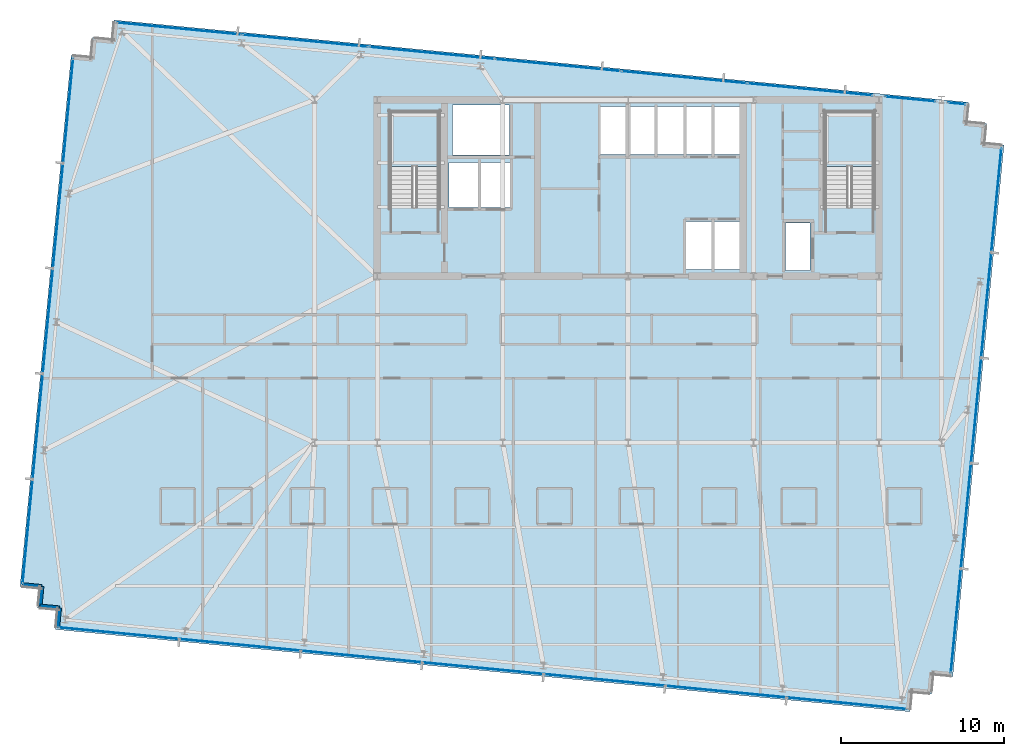
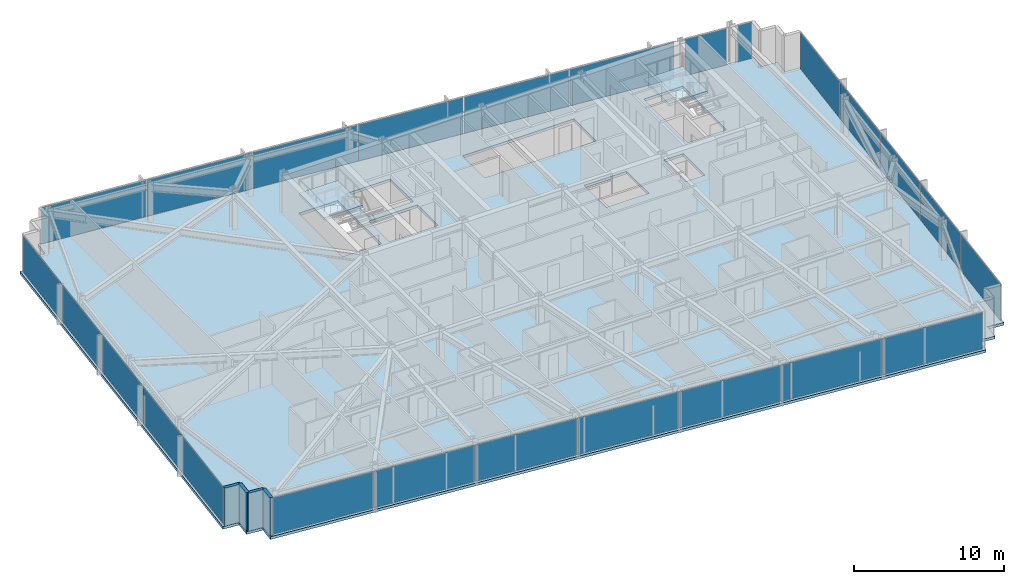
# One storey, part 28 of 37: 25 plates, 4 walls, 3 slabs, 8 elements without a shape of their own.
"""IFC4 building model written with IfcOpenShell, lengths in metres."""

from ifc_helpers import new_model, si_unit, direction, frame, frame_2d, origin, origin_2d, place, context, subcontext, project, spatial, polyline, rectangle, outline, extrude, material, layer, layer_set, type_object, element, aggregate, save


model = new_model("IFC4")

# Units and contexts
model_context = context("Model", 3, precision=1e-05, world=origin(), true_north=direction((0.0, 1.0)))
body_context = subcontext(model_context, "Body", "Model", "MODEL_VIEW")
ifc_project = project(units=[si_unit("LENGTHUNIT", "METRE"), si_unit("AREAUNIT", "SQUARE_METRE"), si_unit("VOLUMEUNIT", "CUBIC_METRE"), si_unit("PLANEANGLEUNIT", "RADIAN"), si_unit("MASSUNIT", "GRAM", prefix="KILO")], contexts=[model_context])

# Site, building, storey
site_placement = place(None, origin())
site = spatial("IfcSite", under=ifc_project, at=site_placement, CompositionType="ELEMENT")
building_placement = place(site_placement, origin())
building = spatial("IfcBuilding", under=site, at=building_placement, Name="Yelkora Congress Tower", CompositionType="ELEMENT")
storey_placement = place(building_placement, frame((0.0, 0.0, 182.0)))
storey = spatial("IfcBuildingStorey", under=building, at=storey_placement, Name="L50", CompositionType="ELEMENT", Elevation=182.0)

# Curtain wall, plates
ifc_material_1 = material(Name="Anodised aluminium and insulated glass", Category="aluminium")
curtain_wall_type = type_object("IfcCurtainWallType", Name="CW-SYS-B3", PredefinedType="NOTDEFINED", material=ifc_material_1)
curtain_wall_1_placement = place(storey_placement, origin())
curtain_wall_1 = element("IfcCurtainWall", 1, at=curtain_wall_1_placement, inside=storey, type_object=curtain_wall_type, Name="L50 Unitised Curtain Wall 5", PredefinedType="NOTDEFINED")
ifc_material_2 = material(Name="Acoustic laminated hotel glass unit B3", Category="glass")
ifc_layer_1 = layer(ifc_material_2, 0.0419921875)
ifc_layer_set_1 = layer_set([ifc_layer_1], Name="Acoustic laminated hotel glass unit B3")
plate_type = type_object("IfcPlateType", Name="PLT-PN-B3", PredefinedType="CURTAIN_PANEL", material=ifc_layer_set_1)
plate_1_placement = place(storey_placement, frame((1.61572265625, 19.75244140625, 0.06005859375), z_axis=(0.0, 0.0, 1.0), x_axis=(0.095845294465, 0.995396242473, 0.0)))
plate_1 = element("IfcPlate", 2, at=plate_1_placement, type_object=plate_type, Name="CW-B3 panel 1.1", PredefinedType="CURTAIN_PANEL", context=body_context, shape_type="SweptSolid", body=[
    extrude(rectangle(XDim=6.37890625, YDim=0.0419921875, at=origin_2d()), origin(), (0.0, 0.0, 1.0), 2.9599609375),
])
plate_2_placement = place(storey_placement, frame((2.235595703125, 26.189208984375, 0.06005859375), z_axis=(0.0, 0.0, 1.0), x_axis=(0.095845294465, 0.995396242473, 0.0)))
plate_2 = element("IfcPlate", 3, at=plate_2_placement, type_object=plate_type, Name="CW-B3 panel 2.1", PredefinedType="CURTAIN_PANEL", context=body_context, shape_type="SweptSolid", body=[
    extrude(rectangle(XDim=6.4140625, YDim=0.0419921875, at=origin_2d()), origin(), (0.0, 0.0, 1.0), 2.9599609375),
])
plate_3_placement = place(storey_placement, frame((2.85693359375, 32.643310546875, 0.06005859375), z_axis=(0.0, 0.0, 1.0), x_axis=(0.095845294465, 0.995396242473, 0.0)))
plate_3 = element("IfcPlate", 4, at=plate_3_placement, type_object=plate_type, Name="CW-B3 panel 3.1", PredefinedType="CURTAIN_PANEL", context=body_context, shape_type="SweptSolid", body=[
    extrude(rectangle(XDim=6.4140625, YDim=0.0419921875, at=origin_2d()), origin(), (0.0, 0.0, 1.0), 2.9599609375),
])
plate_4_placement = place(storey_placement, frame((3.478515625, 39.097412109375, 0.06005859375), z_axis=(0.0, 0.0, 1.0), x_axis=(0.095845294465, 0.995396242473, 0.0)))
plate_4 = element("IfcPlate", 5, at=plate_4_placement, type_object=plate_type, Name="CW-B3 panel 4.1", PredefinedType="CURTAIN_PANEL", context=body_context, shape_type="SweptSolid", body=[
    extrude(rectangle(XDim=6.4140625, YDim=0.0419921875, at=origin_2d()), origin(), (0.0, 0.0, 1.0), 2.9599609375),
])
plate_5_placement = place(storey_placement, frame((4.09814453125, 45.5341796875, 0.06005859375), z_axis=(0.0, 0.0, 1.0), x_axis=(0.095845294465, 0.995396242473, 0.0)))
plate_5 = element("IfcPlate", 6, at=plate_5_placement, type_object=plate_type, Name="CW-B3 panel 5.1", PredefinedType="CURTAIN_PANEL", context=body_context, shape_type="SweptSolid", body=[
    extrude(rectangle(XDim=6.37890625, YDim=0.0419921875, at=origin_2d()), origin(), (0.0, 0.0, 1.0), 2.9599609375),
])
aggregate(curtain_wall_1, [plate_1, plate_2, plate_3, plate_4, plate_5])

curtain_wall_2_placement = place(storey_placement, origin())
curtain_wall_2 = element("IfcCurtainWall", 7, at=curtain_wall_2_placement, inside=storey, type_object=curtain_wall_type, Name="L50 Unitised Curtain Wall 10 (1)", PredefinedType="NOTDEFINED")
plate_6_placement = place(storey_placement, frame((10.913818359375, 50.5634765625, 0.06005859375), z_axis=(0.0, 0.0, 1.0), x_axis=(0.995396293823, -0.095844761168, 0.0)))
plate_6 = element("IfcPlate", 8, at=plate_6_placement, type_object=plate_type, Name="CW-B3 panel 1.1", PredefinedType="CURTAIN_PANEL", context=body_context, shape_type="SweptSolid", body=[
    extrude(rectangle(XDim=7.664306640625, YDim=0.0419921875, at=origin_2d()), origin(), (0.0, 0.0, 1.0), 2.9599609375),
])
plate_7_placement = place(storey_placement, frame((18.6298828125, 49.820556640625, 0.06005859375), z_axis=(0.0, 0.0, 1.0), x_axis=(0.995396293823, -0.095844761168, 0.0)))
plate_7 = element("IfcPlate", 9, at=plate_7_placement, type_object=plate_type, Name="CW-B3 panel 2.1", PredefinedType="CURTAIN_PANEL", context=body_context, shape_type="SweptSolid", body=[
    extrude(rectangle(XDim=7.69921875, YDim=0.0419921875, at=origin_2d()), origin(), (0.0, 0.0, 1.0), 2.9599609375),
])
plate_8_placement = place(storey_placement, frame((26.363525390625, 49.075927734375, 0.06005859375), z_axis=(0.0, 0.0, 1.0), x_axis=(0.995396293823, -0.095844761168, 0.0)))
plate_8 = element("IfcPlate", 10, at=plate_8_placement, type_object=plate_type, Name="CW-B3 panel 3.1", PredefinedType="CURTAIN_PANEL", context=body_context, shape_type="SweptSolid", body=[
    extrude(rectangle(XDim=7.69921875, YDim=0.0419921875, at=origin_2d()), origin(), (0.0, 0.0, 1.0), 2.9599609375),
])
plate_9_placement = place(storey_placement, frame((34.09716796875, 48.331298828125, 0.06005859375), z_axis=(0.0, 0.0, 1.0), x_axis=(0.995396293823, -0.095844761168, 0.0)))
plate_9 = element("IfcPlate", 11, at=plate_9_placement, type_object=plate_type, Name="CW-B3 panel 4.1", PredefinedType="CURTAIN_PANEL", context=body_context, shape_type="SweptSolid", body=[
    extrude(rectangle(XDim=7.69921875, YDim=0.0419921875, at=origin_2d()), origin(), (0.0, 0.0, 1.0), 2.9599609375),
])
plate_10_placement = place(storey_placement, frame((41.83056640625, 47.586669921875, 0.06005859375), z_axis=(0.0, 0.0, 1.0), x_axis=(0.995396293823, -0.095844761168, 0.0)))
plate_10 = element("IfcPlate", 12, at=plate_10_placement, type_object=plate_type, Name="CW-B3 panel 5.1", PredefinedType="CURTAIN_PANEL", context=body_context, shape_type="SweptSolid", body=[
    extrude(rectangle(XDim=7.69921875, YDim=0.0419921875, at=origin_2d()), origin(), (0.0, 0.0, 1.0), 2.9599609375),
])
plate_11_placement = place(storey_placement, frame((49.546875, 46.84375, 0.06005859375), z_axis=(0.0, 0.0, 1.0), x_axis=(0.995396293823, -0.095844761168, 0.0)))
plate_11 = element("IfcPlate", 13, at=plate_11_placement, type_object=plate_type, Name="CW-B3 panel 6.1", PredefinedType="CURTAIN_PANEL", context=body_context, shape_type="SweptSolid", body=[
    extrude(rectangle(XDim=7.664306640625, YDim=0.0419921875, at=origin_2d()), origin(), (0.0, 0.0, 1.0), 2.9599609375),
])
aggregate(curtain_wall_2, [plate_6, plate_7, plate_8, plate_9, plate_10, plate_11])

# Curtain wall, plate
curtain_wall_3_placement = place(storey_placement, origin())
curtain_wall_3 = element("IfcCurtainWall", 14, at=curtain_wall_3_placement, inside=storey, type_object=curtain_wall_type, Name="L50 Unitised Curtain Wall 10 (2)", PredefinedType="NOTDEFINED")
plate_12_placement = place(storey_placement, frame((55.679931640625, 46.253173828125, 0.06005859375), z_axis=(0.0, 0.0, 1.0), x_axis=(0.995395952188, -0.095848309157, 0.0)))
plate_12 = element("IfcPlate", 15, at=plate_12_placement, type_object=plate_type, Name="CW-B3 panel 1.1", PredefinedType="CURTAIN_PANEL", context=body_context, shape_type="SweptSolid", body=[
    extrude(rectangle(XDim=3.056640625, YDim=0.0419921875, at=origin_2d()), origin(), (0.0, 0.0, 1.0), 2.9599609375),
])
aggregate(curtain_wall_3, [plate_12])

curtain_wall_4_placement = place(storey_placement, origin())
curtain_wall_4 = element("IfcCurtainWall", 16, at=curtain_wall_4_placement, inside=storey, type_object=curtain_wall_type, Name="L50 Unitised Curtain Wall 10 (3)", PredefinedType="NOTDEFINED")
plate_13_placement = place(storey_placement, frame((58.518798828125, 45.979736328125, 0.06005859375), z_axis=(0.0, 0.0, 1.0), x_axis=(0.995395569658, -0.095852281686, 0.0)))
plate_13 = element("IfcPlate", 17, at=plate_13_placement, type_object=plate_type, Name="CW-B3 panel 1.1", PredefinedType="CURTAIN_PANEL", context=body_context, shape_type="SweptSolid", body=[
    extrude(rectangle(XDim=1.045166015625, YDim=0.0419921875, at=origin_2d()), origin(), (0.0, 0.0, 1.0), 2.9599609375),
])
aggregate(curtain_wall_4, [plate_13])

# Curtain wall, plates
curtain_wall_5_placement = place(storey_placement, origin())
curtain_wall_5 = element("IfcCurtainWall", 18, at=curtain_wall_5_placement, inside=storey, type_object=curtain_wall_type, Name="L50 Unitised Curtain Wall 15", PredefinedType="NOTDEFINED")
plate_14_placement = place(storey_placement, frame((60.955322265625, 40.0595703125, 0.06005859375), z_axis=(0.0, 0.0, 1.0), x_axis=(-0.095841944023, -0.995396565076, 0.0)))
plate_14 = element("IfcPlate", 19, at=plate_14_placement, type_object=plate_type, Name="CW-B3 panel 1.1", PredefinedType="CURTAIN_PANEL", context=body_context, shape_type="SweptSolid", body=[
    extrude(rectangle(XDim=6.37890625, YDim=0.0419921875, at=origin_2d()), origin(), (0.0, 0.0, 1.0), 2.9599609375),
])
plate_15_placement = place(storey_placement, frame((60.33544921875, 33.622802734375, 0.06005859375), z_axis=(0.0, 0.0, 1.0), x_axis=(-0.095841944023, -0.995396565076, 0.0)))
plate_15 = element("IfcPlate", 20, at=plate_15_placement, type_object=plate_type, Name="CW-B3 panel 2.1", PredefinedType="CURTAIN_PANEL", context=body_context, shape_type="SweptSolid", body=[
    extrude(rectangle(XDim=6.4140625, YDim=0.0419921875, at=origin_2d()), origin(), (0.0, 0.0, 1.0), 2.9599609375),
])
plate_16_placement = place(storey_placement, frame((59.714111328125, 27.168701171875, 0.06005859375), z_axis=(0.0, 0.0, 1.0), x_axis=(-0.095841944023, -0.995396565076, 0.0)))
plate_16 = element("IfcPlate", 21, at=plate_16_placement, type_object=plate_type, Name="CW-B3 panel 3.1", PredefinedType="CURTAIN_PANEL", context=body_context, shape_type="SweptSolid", body=[
    extrude(rectangle(XDim=6.4140625, YDim=0.0419921875, at=origin_2d()), origin(), (0.0, 0.0, 1.0), 2.9599609375),
])
plate_17_placement = place(storey_placement, frame((59.092529296875, 20.71435546875, 0.06005859375), z_axis=(0.0, 0.0, 1.0), x_axis=(-0.095841944023, -0.995396565076, 0.0)))
plate_17 = element("IfcPlate", 22, at=plate_17_placement, type_object=plate_type, Name="CW-B3 panel 4.1", PredefinedType="CURTAIN_PANEL", context=body_context, shape_type="SweptSolid", body=[
    extrude(rectangle(XDim=6.4140625, YDim=0.0419921875, at=origin_2d()), origin(), (0.0, 0.0, 1.0), 2.9599609375),
])
plate_18_placement = place(storey_placement, frame((58.472900390625, 14.277587890625, 0.06005859375), z_axis=(0.0, 0.0, 1.0), x_axis=(-0.095841944023, -0.995396565076, 0.0)))
plate_18 = element("IfcPlate", 23, at=plate_18_placement, type_object=plate_type, Name="CW-B3 panel 5.1", PredefinedType="CURTAIN_PANEL", context=body_context, shape_type="SweptSolid", body=[
    extrude(rectangle(XDim=6.37890625, YDim=0.0419921875, at=origin_2d()), origin(), (0.0, 0.0, 1.0), 2.9599609375),
])
aggregate(curtain_wall_5, [plate_14, plate_15, plate_16, plate_17, plate_18])

curtain_wall_6_placement = place(storey_placement, origin())
curtain_wall_6 = element("IfcCurtainWall", 24, at=curtain_wall_6_placement, inside=storey, type_object=curtain_wall_type, Name="L50 Unitised Curtain Wall 20", PredefinedType="NOTDEFINED")
plate_19_placement = place(storey_placement, frame((51.803955078125, 9.234130859375, 0.06005859375), z_axis=(0.0, 0.0, 1.0), x_axis=(-0.995396301573, 0.095844680679, 0.0)))
plate_19 = element("IfcPlate", 25, at=plate_19_placement, type_object=plate_type, Name="CW-B3 panel 1.1", PredefinedType="CURTAIN_PANEL", context=body_context, shape_type="SweptSolid", body=[
    extrude(rectangle(XDim=7.369384765625, YDim=0.0419921875, at=origin_2d()), origin(), (0.0, 0.0, 1.0), 2.9599609375),
])
plate_20_placement = place(storey_placement, frame((44.381591796875, 9.948974609375, 0.06005859375), z_axis=(0.0, 0.0, 1.0), x_axis=(-0.995396301573, 0.095844680679, 0.0)))
plate_20 = element("IfcPlate", 26, at=plate_20_placement, type_object=plate_type, Name="CW-B3 panel 2.1", PredefinedType="CURTAIN_PANEL", context=body_context, shape_type="SweptSolid", body=[
    extrude(rectangle(XDim=7.404296875, YDim=0.0419921875, at=origin_2d()), origin(), (0.0, 0.0, 1.0), 2.9599609375),
])
plate_21_placement = place(storey_placement, frame((36.941650390625, 10.665283203125, 0.06005859375), z_axis=(0.0, 0.0, 1.0), x_axis=(-0.995396301573, 0.095844680679, 0.0)))
plate_21 = element("IfcPlate", 27, at=plate_21_placement, type_object=plate_type, Name="CW-B3 panel 3.1", PredefinedType="CURTAIN_PANEL", context=body_context, shape_type="SweptSolid", body=[
    extrude(rectangle(XDim=7.404296875, YDim=0.0419921875, at=origin_2d()), origin(), (0.0, 0.0, 1.0), 2.9599609375),
])
plate_22_placement = place(storey_placement, frame((29.501708984375, 11.381591796875, 0.06005859375), z_axis=(0.0, 0.0, 1.0), x_axis=(-0.995396301573, 0.095844680679, 0.0)))
plate_22 = element("IfcPlate", 28, at=plate_22_placement, type_object=plate_type, Name="CW-B3 panel 4.1", PredefinedType="CURTAIN_PANEL", context=body_context, shape_type="SweptSolid", body=[
    extrude(rectangle(XDim=7.404296875, YDim=0.0419921875, at=origin_2d()), origin(), (0.0, 0.0, 1.0), 2.9599609375),
])
plate_23_placement = place(storey_placement, frame((22.06201171875, 12.097900390625, 0.06005859375), z_axis=(0.0, 0.0, 1.0), x_axis=(-0.995396301573, 0.095844680679, 0.0)))
plate_23 = element("IfcPlate", 29, at=plate_23_placement, type_object=plate_type, Name="CW-B3 panel 5.1", PredefinedType="CURTAIN_PANEL", context=body_context, shape_type="SweptSolid", body=[
    extrude(rectangle(XDim=7.404296875, YDim=0.0419921875, at=origin_2d()), origin(), (0.0, 0.0, 1.0), 2.9599609375),
])
plate_24_placement = place(storey_placement, frame((14.6220703125, 12.814453125, 0.06005859375), z_axis=(0.0, 0.0, 1.0), x_axis=(-0.995396301573, 0.095844680679, 0.0)))
plate_24 = element("IfcPlate", 30, at=plate_24_placement, type_object=plate_type, Name="CW-B3 panel 6.1", PredefinedType="CURTAIN_PANEL", context=body_context, shape_type="SweptSolid", body=[
    extrude(rectangle(XDim=7.404296875, YDim=0.0419921875, at=origin_2d()), origin(), (0.0, 0.0, 1.0), 2.9599609375),
])
plate_25_placement = place(storey_placement, frame((7.199462890625, 13.529052734375, 0.06005859375), z_axis=(0.0, 0.0, 1.0), x_axis=(-0.995396301573, 0.095844680679, 0.0)))
plate_25 = element("IfcPlate", 31, at=plate_25_placement, type_object=plate_type, Name="CW-B3 panel 7.1", PredefinedType="CURTAIN_PANEL", context=body_context, shape_type="SweptSolid", body=[
    extrude(rectangle(XDim=7.369384765625, YDim=0.0419921875, at=origin_2d()), origin(), (0.0, 0.0, 1.0), 2.9599609375),
])
aggregate(curtain_wall_6, [plate_19, plate_20, plate_21, plate_22, plate_23, plate_24, plate_25])

# Stair, slab
ifc_material_3 = material(Name="Concrete C40/50", Category="concrete")
stair_type = type_object("IfcStairType", Name="STAIR-HT-1420-R20-165", PredefinedType="HALF_TURN_STAIR", material=ifc_material_3)
stair_1_placement = place(storey_placement, origin())
stair_1 = element("IfcStair", 32, at=stair_1_placement, inside=storey, type_object=stair_type, Name="West Core Protected Exit Stair ST-01 (L50)", PredefinedType="HALF_TURN_STAIR")
ifc_layer_2 = layer(ifc_material_3, 0.219970703125)
ifc_layer_set_2 = layer_set([ifc_layer_2], Name="Concrete C40/50")
slab_type_1 = type_object("IfcSlabType", Name="SLAB-LANDING-220", PredefinedType="LANDING", material=ifc_layer_set_2)
slab_1_placement = place(storey_placement, frame((0.0, 0.0, 1.429931640625)))
slab_1 = element("IfcSlab", 33, at=slab_1_placement, type_object=slab_type_1, Name="ST-01 L50 Half Landing 1", PredefinedType="LANDING", context=body_context, shape_type="SweptSolid", body=[
    extrude(outline(polyline([(26.820068359375, 42.1201171875), (26.820068359375, 45.469970703125), (23.820068359375, 45.469970703125), (23.820068359375, 42.1201171875), (26.820068359375, 42.1201171875)])), origin(), (0.0, 0.0, 1.0), 0.219970703125),
])
aggregate(stair_1, [slab_1])

stair_2_placement = place(storey_placement, origin())
stair_2 = element("IfcStair", 34, at=stair_2_placement, inside=storey, type_object=stair_type, Name="East Core Protected Exit Stair ST-02 (L50)", PredefinedType="HALF_TURN_STAIR")
slab_2_placement = place(storey_placement, frame((0.0, 0.0, 1.429931640625)))
slab_2 = element("IfcSlab", 35, at=slab_2_placement, type_object=slab_type_1, Name="ST-02 L50 Half Landing 1", PredefinedType="LANDING", context=body_context, shape_type="SweptSolid", body=[
    extrude(outline(polyline([(53.4599609375, 42.1201171875), (53.4599609375, 45.469970703125), (50.4599609375, 45.469970703125), (50.4599609375, 42.1201171875), (53.4599609375, 42.1201171875)])), origin(), (0.0, 0.0, 1.0), 0.219970703125),
])
aggregate(stair_2, [slab_2])

# Slab
ifc_layer_3 = layer(ifc_material_3, 0.219970703125)
ifc_layer_set_3 = layer_set([ifc_layer_3], Name="Concrete C40/50")
slab_type_2 = type_object("IfcSlabType", Name="SLAB-TWR-220", PredefinedType="FLOOR", material=ifc_layer_set_3)
slab_3_placement = place(storey_placement, frame((0.0, 0.0, -0.219970703125)))
element("IfcSlab", 36, at=slab_3_placement, inside=storey, type_object=slab_type_2, Name="L50 Structural Floor Slab", PredefinedType="FLOOR", context=body_context, shape_type="SweptSolid", body=[
    extrude(outline(polyline([(3.309326171875, 13.762939453125), (55.667236328125, 8.721435546875), (55.7822265625, 9.916015625), (56.976806640625, 9.801025390625), (57.091796875, 10.99560546875), (58.286376953125, 10.88037109375), (61.42041015625, 43.429931640625), (60.225830078125, 43.544921875), (60.341064453125, 44.739501953125), (59.146484375, 44.8544921875), (59.261474609375, 46.048828125), (6.90380859375, 51.09033203125), (6.78857421875, 49.89599609375), (5.59423828125, 50.010986328125), (5.479248046875, 48.81640625), (4.28466796875, 48.931396484375), (1.150390625, 16.382080078125), (2.344970703125, 16.26708984375), (2.22998046875, 15.072509765625), (3.424560546875, 14.95751953125), (3.309326171875, 13.762939453125)]), holes=[polyline([(23.820068359375, 39.6298828125), (26.820068359375, 39.6298828125), (26.820068359375, 45.469970703125), (23.820068359375, 45.469970703125), (23.820068359375, 39.6298828125)]), polyline([(50.4599609375, 39.6298828125), (53.4599609375, 39.6298828125), (53.4599609375, 45.469970703125), (50.4599609375, 45.469970703125), (50.4599609375, 39.6298828125)]), polyline([(48.050048828125, 35.75), (49.550048828125, 35.75), (49.550048828125, 38.64990234375), (48.050048828125, 38.64990234375), (48.050048828125, 35.75)]), polyline([(36.64990234375, 42.85009765625), (45.25, 42.85009765625), (45.25, 45.800048828125), (36.64990234375, 45.800048828125), (36.64990234375, 42.85009765625)]), polyline([(41.949951171875, 35.800048828125), (45.25, 35.800048828125), (45.25, 38.75), (41.949951171875, 38.75), (41.949951171875, 35.800048828125)]), polyline([(27.419921875, 39.60009765625), (31.179931640625, 39.60009765625), (31.179931640625, 42.35009765625), (27.419921875, 42.35009765625), (27.419921875, 39.60009765625)]), polyline([(27.64990234375, 42.820068359375), (31.1201171875, 42.820068359375), (31.1201171875, 45.8798828125), (27.64990234375, 45.8798828125), (27.64990234375, 42.820068359375)])]), origin(), (0.0, 0.0, 1.0), 0.219970703125),
])

# Walls
ifc_layer_4 = layer(ifc_material_3, 0.239990234375)
ifc_layer_set_4 = layer_set([ifc_layer_4], Name="Concrete C40/50")
wall_type = type_object("IfcWallType", Name="WALL-EXT-LIMESTONE-240", PredefinedType="SOLIDWALL", material=ifc_layer_set_4)
for number, where, z_axis, x_axis, name in (
    (37, (3.462158203125, 13.888916015625, 0.0), (0.0, 0.0, 1.0), (0.096018626938, 0.995379537303, 0.0), "L50 Serrated Corner Limestone Pier 1"),
    (38, (3.577392578125, 15.08349609375, 0.0), (0.0, 0.0, 1.0), (-0.995398960025, 0.095817067274, 0.0), "L50 Serrated Corner Limestone Pier 2"),
):
    element("IfcWall", number, at=place(storey_placement, frame(where, z_axis=z_axis, x_axis=x_axis)), inside=storey, type_object=wall_type, Name=name, PredefinedType="SOLIDWALL", context=body_context, shape_type="SweptSolid", body=[
        extrude(rectangle(XDim=1.2001953125, YDim=0.239990234375, at=frame_2d((0.60009765625, 0.0))), origin(), (0.0, 0.0, 1.0), 3.080078125),
    ])
wall_1_placement = place(storey_placement, frame((2.3828125, 15.198486328125, 0.0), z_axis=(0.0, 0.0, 1.0), x_axis=(0.095836473879, 0.995397091755, 0.0)))
element("IfcWall", 39, at=wall_1_placement, inside=storey, type_object=wall_type, Name="L50 Serrated Corner Limestone Pier 3", PredefinedType="SOLIDWALL", context=body_context, shape_type="SweptSolid", body=[
    extrude(rectangle(XDim=1.199951171875, YDim=0.239990234375, at=frame_2d((0.60009765625, 0.0))), origin(), (0.0, 0.0, 1.0), 3.080078125),
])
wall_2_placement = place(storey_placement, frame((2.497802734375, 16.392822265625, 0.0), z_axis=(0.0, 0.0, 1.0), x_axis=(-0.995398960025, 0.095817067274, 0.0)))
element("IfcWall", 40, at=wall_2_placement, inside=storey, type_object=wall_type, Name="L50 Serrated Corner Limestone Pier 4", PredefinedType="SOLIDWALL", context=body_context, shape_type="SweptSolid", body=[
    extrude(rectangle(XDim=1.2001953125, YDim=0.239990234375, at=frame_2d((0.60009765625, 0.0))), origin(), (0.0, 0.0, 1.0), 3.080078125),
])

save(model, "model.ifc")
